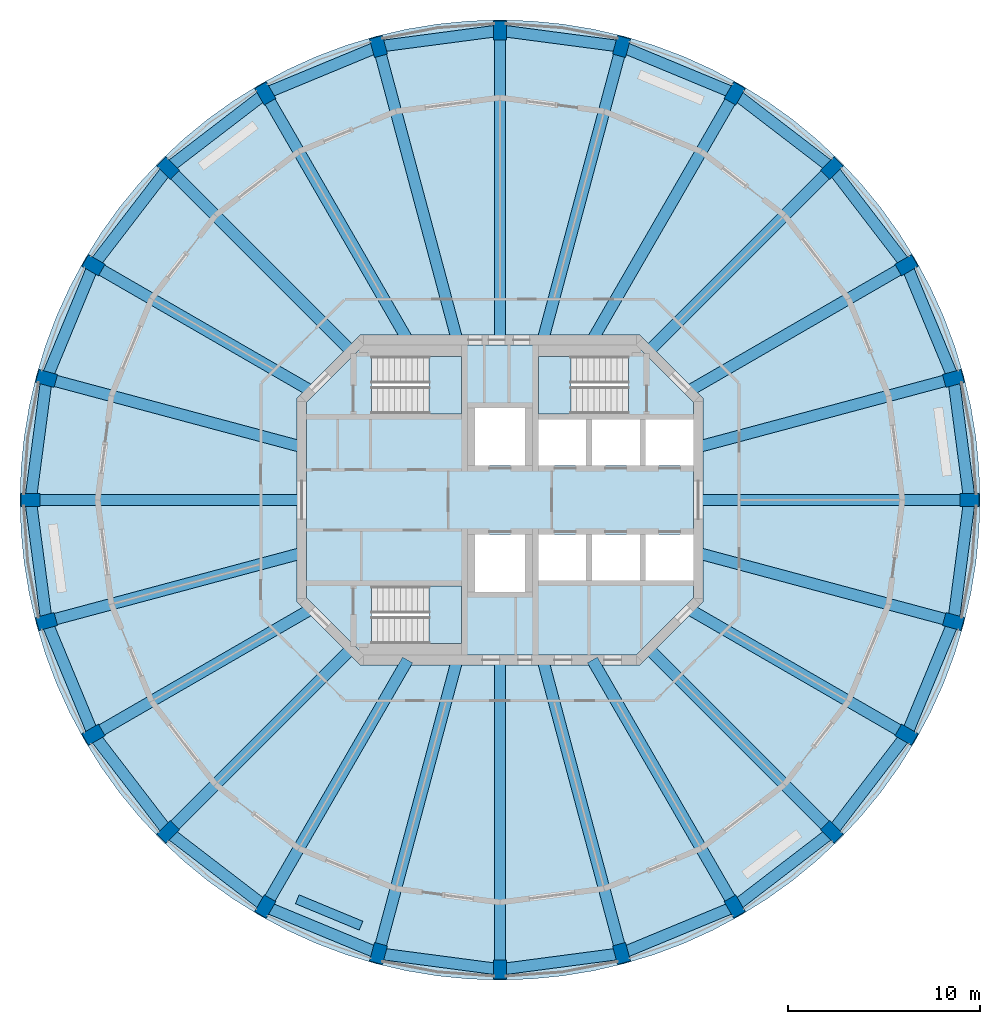
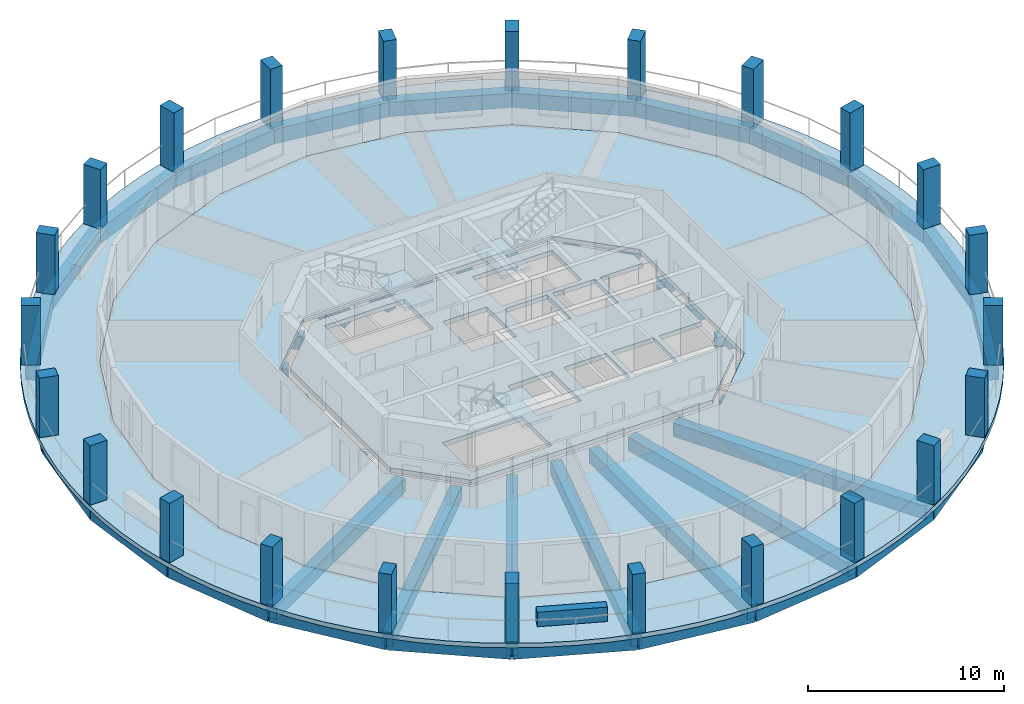
# One storey, part 1 of 8: 48 beams, 24 columns, 6 slabs, 1 wall, 3 elements without a shape of their own.
"""IFC4 building model written with IfcOpenShell, lengths in metres."""

import ifcopenshell
import ifcopenshell.guid

model = None  # the IFC model being written
_history = None  # IfcOwnerHistory: only IFC2X3 demands one
_inside = {}  # id of a spatial element -> (the spatial element, [elements in it])
_under = {}  # id of a project, library or spatial element -> (it, [spatial elements below it])
_declared = {}  # id of a project -> (the project, [libraries it declares])
_typed = {}  # id of a type object -> (the type object, [elements of that type])
_made_of = {}  # id of a material, layer set ... -> (it, [elements and type objects made of it])


def new_model(schema):
    """Start an empty IFC model of exactly this schema.

    Asked for "IFC4X3", IfcOpenShell would pick the latest addendum, in which some entities
    have other attributes; the version numbers below select the first issue.
    IFC2X3 requires an IfcOwnerHistory on every rooted entity: one is made here for all.
    """
    global model, _history
    if schema == "IFC4X3":
        model = ifcopenshell.file(schema_version=(4, 3, 0, 0))
    else:
        model = ifcopenshell.file(schema=schema)
    _inside.clear()
    _under.clear()
    _declared.clear()
    _typed.clear()
    _made_of.clear()
    _history = None
    if model.schema == "IFC2X3":
        org = make("IfcOrganization", Name="unknown")
        user = make(
            "IfcPersonAndOrganization",
            ThePerson=make("IfcPerson", FamilyName="unknown"),
            TheOrganization=org,
        )
        app = make(
            "IfcApplication",
            ApplicationDeveloper=org,
            Version="unknown",
            ApplicationFullName="unknown",
            ApplicationIdentifier="unknown",
        )
        _history = make(
            "IfcOwnerHistory",
            OwningUser=user,
            OwningApplication=app,
            ChangeAction="ADDED",
            CreationDate=0,
        )
    return model


def make(cls, **values):
    """One entity of the class cls with the attributes given. An attribute that is None is left unset."""
    return model.create_entity(
        cls, **{name: value for name, value in values.items() if value is not None}
    )


def rooted(cls, **values):
    """An entity with a GlobalId (a new one), such as an element, a storey or a relation."""
    return make(cls, GlobalId=ifcopenshell.guid.new(), OwnerHistory=_history, **values)


def si_unit(unit_type, name, prefix=None):
    """IfcSIUnit, for example si_unit("LENGTHUNIT", "METRE", prefix="MILLI")."""
    return make("IfcSIUnit", UnitType=unit_type, Prefix=prefix, Name=name)


def assignment(units):
    """IfcUnitAssignment: the units of a project."""
    return None if units is None else make("IfcUnitAssignment", Units=units)


def point(xyz):
    """IfcCartesianPoint."""
    return None if xyz is None else make("IfcCartesianPoint", Coordinates=xyz)


def direction(xyz):
    """IfcDirection."""
    return None if xyz is None else make("IfcDirection", DirectionRatios=xyz)


def frame(location, z_axis=None, x_axis=None):
    """IfcAxis2Placement3D, a coordinate frame: its origin and axes. An axis left out is left unset."""
    return make(
        "IfcAxis2Placement3D",
        Location=point(location),
        Axis=direction(z_axis),
        RefDirection=direction(x_axis),
    )


def frame_2d(location, x_axis=None):
    """IfcAxis2Placement2D, a coordinate frame in the plane: its origin and x axis."""
    return make(
        "IfcAxis2Placement2D", Location=point(location), RefDirection=direction(x_axis)
    )


def origin():
    """The frame at (0, 0, 0) with its axes left unset."""
    return frame((0.0, 0.0, 0.0))


def origin_2d():
    """The frame at (0, 0) in the plane with its x axis left unset."""
    return frame_2d((0.0, 0.0))


def place(relative_to, where):
    """IfcLocalPlacement: puts the frame where relative to a parent placement (None: the world)."""
    return make(
        "IfcLocalPlacement", PlacementRelTo=relative_to, RelativePlacement=where
    )


def context(
    kind, dimensions, precision=None, world=None, true_north=None, identifier=None
):
    """IfcGeometricRepresentationContext, for example the 3D "Model" context."""
    return make(
        "IfcGeometricRepresentationContext",
        ContextIdentifier=identifier,
        ContextType=kind,
        CoordinateSpaceDimension=dimensions,
        Precision=precision,
        WorldCoordinateSystem=world,
        TrueNorth=true_north,
    )


def subcontext(parent, identifier, kind, view, scale=None):
    """IfcGeometricRepresentationSubContext, for example "Body" below "Model"."""
    return make(
        "IfcGeometricRepresentationSubContext",
        ContextIdentifier=identifier,
        ContextType=kind,
        ParentContext=parent,
        TargetScale=scale,
        TargetView=view,
    )


def project(units=None, contexts=None):
    """IfcProject with its units and contexts."""
    return rooted(
        "IfcProject",
        Name="project",
        RepresentationContexts=contexts,
        UnitsInContext=assignment(units),
    )


def spatial(cls, under=None, at=None, **own):
    """A site, building, storey or space (cls), placed at a placement, below another one or the project."""
    s = rooted(cls, ObjectPlacement=at, **own)
    if under is not None:
        _under.setdefault(under.id(), (under, []))[1].append(s)
    return s


def polyline(points):
    """IfcPolyline through the points."""
    return make("IfcPolyline", Points=[point(p) for p in points])


def profile(cls, at=None, kind="AREA", **sizes):
    """A parametric profile (cls). Its sizes go by their IFC names, for example OverallWidth=200.0."""
    return make(cls, ProfileType=kind, Position=at, **sizes)


def rectangle(**sizes):
    """IfcRectangleProfileDef."""
    return profile("IfcRectangleProfileDef", **sizes)


def outline(outer, holes=None, kind="AREA"):
    """IfcArbitraryClosedProfileDef: a profile drawn as a closed curve; with holes, ...WithVoids."""
    if holes is None:
        return make("IfcArbitraryClosedProfileDef", ProfileType=kind, OuterCurve=outer)
    return make(
        "IfcArbitraryProfileDefWithVoids",
        ProfileType=kind,
        OuterCurve=outer,
        InnerCurves=holes,
    )


def extrude(swept, where, along, depth):
    """IfcExtrudedAreaSolid: the profile swept, set in the frame where, extruded along a direction by depth."""
    return make(
        "IfcExtrudedAreaSolid",
        SweptArea=swept,
        Position=where,
        ExtrudedDirection=direction(along),
        Depth=depth,
    )


def shape(context_of_items, identifier, shape_type, items):
    """IfcShapeRepresentation: the items that make up one representation, for example the "Body"."""
    return make(
        "IfcShapeRepresentation",
        ContextOfItems=context_of_items,
        RepresentationIdentifier=identifier,
        RepresentationType=shape_type,
        Items=items,
    )


def material(Name=None, Category=None):
    """IfcMaterial."""
    return make("IfcMaterial", Name=Name, Category=Category)


def layer(
    of_material, thickness, ventilated=None, Name=None, Category=None, Priority=None
):
    """IfcMaterialLayer: one layer of a wall or slab, of a material (None: an air gap)."""
    return make(
        "IfcMaterialLayer",
        Material=of_material,
        LayerThickness=thickness,
        IsVentilated=ventilated,
        Name=Name,
        Category=Category,
        Priority=Priority,
    )


def layer_set(layers, Name=None):
    """IfcMaterialLayerSet."""
    return make("IfcMaterialLayerSet", MaterialLayers=layers, LayerSetName=Name)


def material_profile(
    of_material, cross_section, Name=None, Category=None, Priority=None
):
    """IfcMaterialProfile: a cross section and its material."""
    return make(
        "IfcMaterialProfile",
        Name=Name,
        Material=of_material,
        Profile=cross_section,
        Priority=Priority,
        Category=Category,
    )


def profile_set(profiles, Name=None, composite=None):
    """IfcMaterialProfileSet."""
    return make(
        "IfcMaterialProfileSet",
        Name=Name,
        MaterialProfiles=profiles,
        CompositeProfile=composite,
    )


def made_of(thing, what):
    """Note that an element or type object is made of a material, layer set ...; save() writes the relation."""
    if what is not None:
        _made_of.setdefault(what.id(), (what, []))[1].append(thing)
    return thing


def type_object(cls, material=None, **own):
    """A type object (cls), such as IfcWallType, which elements share."""
    return made_of(rooted(cls, **own), material)


def element(
    cls,
    number,
    at=None,
    inside=None,
    cuts=None,
    type_object=None,
    material=None,
    context=None,
    identifier="Body",
    shape_type=None,
    held_by="IfcProductDefinitionShape",
    body=None,
    shapes=None,
    **own,
):
    """One element of the class cls, such as IfcWall. Its Tag is "e" and its number.

    at: its placement. inside: the storey or other place that contains it. cuts: it is an
    opening in that element (IfcRelVoidsElement). A single representation is given by context,
    identifier, shape_type and body (its items); several are given by shapes. held_by: the class
    of the entity that holds the representations. save() writes the other relations.
    """
    e = rooted(cls, Tag="e%d" % number, ObjectPlacement=at, **own)
    if body is not None:
        shapes = [shape(context, identifier, shape_type, body)]
    if shapes is not None:
        e.Representation = make(held_by, Representations=shapes)
    if inside is not None:
        _inside.setdefault(inside.id(), (inside, []))[1].append(e)
    if cuts is not None:
        rooted(
            "IfcRelVoidsElement", RelatingBuildingElement=cuts, RelatedOpeningElement=e
        )
    if type_object is not None:
        _typed.setdefault(type_object.id(), (type_object, []))[1].append(e)
    return made_of(e, material)


def aggregate(whole, parts):
    """IfcRelAggregates: a whole, such as a stair, and the parts it consists of."""
    return rooted("IfcRelAggregates", RelatingObject=whole, RelatedObjects=parts)


def save(model, path):
    """Write the relations noted so far, then the file.

    IfcRelAggregates (storeys below a building ...), IfcRelContainedInSpatialStructure (elements
    in a storey), IfcRelDefinesByType, IfcRelAssociatesMaterial and IfcRelDeclares: one each for
    every whole, place, type object, material and project.
    """
    for whole, parts in _under.values():
        aggregate(whole, parts)
    for where, things in _inside.values():
        rooted(
            "IfcRelContainedInSpatialStructure",
            RelatedElements=things,
            RelatingStructure=where,
        )
    for kind, things in _typed.values():
        rooted("IfcRelDefinesByType", RelatedObjects=things, RelatingType=kind)
    for what, things in _made_of.values():
        rooted("IfcRelAssociatesMaterial", RelatedObjects=things, RelatingMaterial=what)
    for by, libraries in _declared.values():
        rooted("IfcRelDeclares", RelatingContext=by, RelatedDefinitions=libraries)
    model.write(path)


model = new_model("IFC4")

# Units and contexts
model_context = context("Model", 3, precision=1e-05, world=origin(), true_north=direction((0.0, 1.0)))
body_context = subcontext(model_context, "Body", "Model", "MODEL_VIEW")
ifc_project = project(units=[si_unit("LENGTHUNIT", "METRE"), si_unit("AREAUNIT", "SQUARE_METRE"), si_unit("VOLUMEUNIT", "CUBIC_METRE"), si_unit("PLANEANGLEUNIT", "RADIAN"), si_unit("MASSUNIT", "GRAM", prefix="KILO")], contexts=[model_context])

# Site, building, storey
site_placement = place(None, origin())
site = spatial("IfcSite", under=ifc_project, at=site_placement, CompositionType="ELEMENT")
building_placement = place(site_placement, origin())
building = spatial("IfcBuilding", under=site, at=building_placement, Name="Torre Triforio", CompositionType="ELEMENT")
storey_placement = place(building_placement, frame((0.0, 0.0, 261.199951171875)))
storey = spatial("IfcBuildingStorey", under=building, at=storey_placement, Name="L60", CompositionType="ELEMENT", Elevation=261.199951171875)

# Columns
ifc_material_1 = material(Name="Concrete C40", Category="concrete")
ifc_material_profile_1 = material_profile(ifc_material_1, rectangle(XDim=0.699951171875, YDim=1.0, at=origin_2d()), Name="RC 700x1000")
ifc_profile_set_1 = profile_set([ifc_material_profile_1], Name="Concrete C40")
column_type = type_object("IfcColumnType", Name="Pier RC 700x1000 C40", PredefinedType="COLUMN", material=ifc_profile_set_1)
for number, where, z_axis, x_axis, name in (
    (1, (24.5, 0.0, 0.0), (0.0, 0.0, 1.0), (0.0, 1.0, 0.0), "COL.R.L60.00"),
    (2, (23.665283203125, 6.341064453125, 0.0), (0.0, 0.0, 1.0), (-0.258819045103, 0.965925826289, 0.0), "COL.R.L60.01"),
    (3, (21.217529296875, 12.25, 0.0), (0.0, 0.0, 1.0), (-0.5, 0.866025403784, 0.0), "COL.R.L60.02"),
    (4, (17.32421875, 17.32421875, 0.0), (0.0, 0.0, 1.0), (-0.707106781187, 0.707106781187, 0.0), "COL.R.L60.03"),
    (5, (12.25, 21.217529296875, 0.0), (0.0, 0.0, 1.0), (-0.866025403784, 0.5, 0.0), "COL.R.L60.04"),
    (6, (6.341064453125, 23.665283203125, 0.0), (0.0, 0.0, 1.0), (-0.965925826289, 0.258819045103, 0.0), "COL.R.L60.05"),
    (7, (0.0, 24.5, 0.0), (0.0, 0.0, 1.0), (-1.0, 0.0, 0.0), "COL.R.L60.06"),
    (8, (-6.341064453125, 23.665283203125, 0.0), (0.0, 0.0, 1.0), (-0.965925826289, -0.258819045103, 0.0), "COL.R.L60.07"),
    (9, (-12.25, 21.217529296875, 0.0), (0.0, 0.0, 1.0), (-0.866025403784, -0.5, 0.0), "COL.R.L60.08"),
    (10, (-17.32421875, 17.32421875, 0.0), (0.0, 0.0, 1.0), (-0.707106781187, -0.707106781187, 0.0), "COL.R.L60.09"),
    (11, (-21.217529296875, 12.25, 0.0), (0.0, 0.0, 1.0), (-0.5, -0.866025403784, 0.0), "COL.R.L60.10"),
    (12, (-23.665283203125, 6.341064453125, 0.0), (0.0, 0.0, 1.0), (-0.258819045103, -0.965925826289, 0.0), "COL.R.L60.11"),
    (13, (-24.5, 0.0, 0.0), (0.0, 0.0, 1.0), (0.0, -1.0, 0.0), "COL.R.L60.12"),
    (14, (-23.665283203125, -6.341064453125, 0.0), (0.0, 0.0, 1.0), (0.258819045103, -0.965925826289, 0.0), "COL.R.L60.13"),
    (15, (-21.217529296875, -12.25, 0.0), (0.0, 0.0, 1.0), (0.5, -0.866025403784, 0.0), "COL.R.L60.14"),
    (16, (-17.32421875, -17.32421875, 0.0), (0.0, 0.0, 1.0), (0.707106781187, -0.707106781187, 0.0), "COL.R.L60.15"),
    (17, (-12.25, -21.217529296875, 0.0), (0.0, 0.0, 1.0), (0.866025403784, -0.5, 0.0), "COL.R.L60.16"),
    (18, (-6.341064453125, -23.665283203125, 0.0), (0.0, 0.0, 1.0), (0.965925826289, -0.258819045103, 0.0), "COL.R.L60.17"),
    (19, (0.0, -24.5, 0.0), (0.0, 0.0, 1.0), (1.0, 0.0, 0.0), "COL.R.L60.18"),
    (20, (6.341064453125, -23.665283203125, 0.0), (0.0, 0.0, 1.0), (0.965925826289, 0.258819045103, 0.0), "COL.R.L60.19"),
    (21, (12.25, -21.217529296875, 0.0), (0.0, 0.0, 1.0), (0.866025403784, 0.5, 0.0), "COL.R.L60.20"),
    (22, (17.32421875, -17.32421875, 0.0), (0.0, 0.0, 1.0), (0.707106781187, 0.707106781187, 0.0), "COL.R.L60.21"),
    (23, (21.217529296875, -12.25, 0.0), (0.0, 0.0, 1.0), (0.5, 0.866025403784, 0.0), "COL.R.L60.22"),
    (24, (23.665283203125, -6.341064453125, 0.0), (0.0, 0.0, 1.0), (0.258819045103, 0.965925826289, 0.0), "COL.R.L60.23"),
):
    element("IfcColumn", number, at=place(storey_placement, frame(where, z_axis=z_axis, x_axis=x_axis)), inside=storey, type_object=column_type, Name=name, PredefinedType="COLUMN", context=body_context, shape_type="SweptSolid", body=[
        extrude(rectangle(XDim=0.699951171875, YDim=1.0, at=origin_2d()), origin(), (0.0, 0.0, 1.0), 3.699951171875),
    ])

# Beams
ifc_material_profile_2 = material_profile(ifc_material_1, rectangle(XDim=0.60009765625, YDim=0.85009765625, at=origin_2d()), Name="RC 600x850")
ifc_profile_set_2 = profile_set([ifc_material_profile_2], Name="Concrete C40")
beam_type_1 = type_object("IfcBeamType", Name="Radial beam RC 600x850 C40", PredefinedType="BEAM", material=ifc_profile_set_2)
beam_1_placement = place(storey_placement, frame((10.35009765625, 0.0, -0.704833984375), z_axis=(1.0, 0.0, 0.0), x_axis=(0.0, 1.0, 0.0)))
element("IfcBeam", 25, at=beam_1_placement, inside=storey, type_object=beam_type_1, Name="BM.R.L60.00", PredefinedType="BEAM", context=body_context, shape_type="SweptSolid", body=[
    extrude(rectangle(XDim=0.60009765625, YDim=0.85009765625, at=origin_2d()), origin(), (0.0, 0.0, 1.0), 14.14990234375),
])
beam_2_placement = place(storey_placement, frame((10.35009765625, 2.773193359375, -0.704833984375), z_axis=(0.965924413872, 0.258824316257, 0.0), x_axis=(-0.258824316257, 0.965924413872, 0.0)))
element("IfcBeam", 26, at=beam_2_placement, inside=storey, type_object=beam_type_1, Name="BM.R.L60.01", PredefinedType="BEAM", context=body_context, shape_type="SweptSolid", body=[
    extrude(rectangle(XDim=0.60009765625, YDim=0.85009765625, at=origin_2d()), origin(), (0.0, 0.0, 1.0), 13.784912109375),
])
beam_3_placement = place(storey_placement, frame((9.860595703125, 5.693115234375, -0.704833984375), z_axis=(0.866026853401, 0.499997489182, 0.0), x_axis=(-0.499997489182, 0.866026853401, 0.0)))
element("IfcBeam", 27, at=beam_3_placement, inside=storey, type_object=beam_type_1, Name="BM.R.L60.02", PredefinedType="BEAM", context=body_context, shape_type="SweptSolid", body=[
    extrude(rectangle(XDim=0.60009765625, YDim=0.85009765625, at=origin_2d()), origin(), (0.0, 0.0, 1.0), 13.11376953125),
])
beam_4_placement = place(storey_placement, frame((7.77685546875, 7.77685546875, -0.704833984375), z_axis=(0.707106781187, 0.707106781187, 0.0), x_axis=(-0.707106781187, 0.707106781187, 0.0)))
element("IfcBeam", 28, at=beam_4_placement, inside=storey, type_object=beam_type_1, Name="BM.R.L60.03", PredefinedType="BEAM", context=body_context, shape_type="SweptSolid", body=[
    extrude(rectangle(XDim=0.60009765625, YDim=0.85009765625, at=origin_2d()), origin(), (0.0, 0.0, 1.0), 13.501953125),
])
beam_5_placement = place(storey_placement, frame((4.82080078125, 8.35009765625, -0.704833984375), z_axis=(0.50000929273, 0.866020038558, 0.0), x_axis=(-0.866020038558, 0.50000929273, 0.0)))
element("IfcBeam", 29, at=beam_5_placement, inside=storey, type_object=beam_type_1, Name="BM.R.L60.04", PredefinedType="BEAM", context=body_context, shape_type="SweptSolid", body=[
    extrude(rectangle(XDim=0.60009765625, YDim=0.85009765625, at=origin_2d()), origin(), (0.0, 0.0, 1.0), 14.858154296875),
])
beam_6_placement = place(storey_placement, frame((2.2373046875, 8.35009765625, -0.704833984375), z_axis=(0.258823056343, 0.965924751471, 0.0), x_axis=(-0.965924751471, 0.258823056343, 0.0)))
element("IfcBeam", 30, at=beam_6_placement, inside=storey, type_object=beam_type_1, Name="BM.R.L60.05", PredefinedType="BEAM", context=body_context, shape_type="SweptSolid", body=[
    extrude(rectangle(XDim=0.60009765625, YDim=0.85009765625, at=origin_2d()), origin(), (0.0, 0.0, 1.0), 15.85546875),
])
beam_7_placement = place(storey_placement, frame((0.0, 8.35009765625, -0.704833984375), z_axis=(0.0, 1.0, 0.0), x_axis=(-1.0, 0.0, 0.0)))
element("IfcBeam", 31, at=beam_7_placement, inside=storey, type_object=beam_type_1, Name="BM.R.L60.06", PredefinedType="BEAM", context=body_context, shape_type="SweptSolid", body=[
    extrude(rectangle(XDim=0.60009765625, YDim=0.85009765625, at=origin_2d()), origin(), (0.0, 0.0, 1.0), 16.14990234375),
])
beam_8_placement = place(storey_placement, frame((-2.2373046875, 8.35009765625, -0.704833984375), z_axis=(-0.258823056343, 0.965924751471, 0.0), x_axis=(-0.965924751471, -0.258823056343, 0.0)))
element("IfcBeam", 32, at=beam_8_placement, inside=storey, type_object=beam_type_1, Name="BM.R.L60.07", PredefinedType="BEAM", context=body_context, shape_type="SweptSolid", body=[
    extrude(rectangle(XDim=0.60009765625, YDim=0.85009765625, at=origin_2d()), origin(), (0.0, 0.0, 1.0), 15.85546875),
])
beam_9_placement = place(storey_placement, frame((-4.82080078125, 8.35009765625, -0.704833984375), z_axis=(-0.50000929273, 0.866020038558, 0.0), x_axis=(-0.866020038558, -0.50000929273, 0.0)))
element("IfcBeam", 33, at=beam_9_placement, inside=storey, type_object=beam_type_1, Name="BM.R.L60.08", PredefinedType="BEAM", context=body_context, shape_type="SweptSolid", body=[
    extrude(rectangle(XDim=0.60009765625, YDim=0.85009765625, at=origin_2d()), origin(), (0.0, 0.0, 1.0), 14.858154296875),
])
beam_10_placement = place(storey_placement, frame((-7.77685546875, 7.77685546875, -0.704833984375), z_axis=(-0.707106781187, 0.707106781187, 0.0), x_axis=(-0.707106781187, -0.707106781187, 0.0)))
element("IfcBeam", 34, at=beam_10_placement, inside=storey, type_object=beam_type_1, Name="BM.R.L60.09", PredefinedType="BEAM", context=body_context, shape_type="SweptSolid", body=[
    extrude(rectangle(XDim=0.60009765625, YDim=0.85009765625, at=origin_2d()), origin(), (0.0, 0.0, 1.0), 13.501953125),
])
beam_11_placement = place(storey_placement, frame((-9.860595703125, 5.693115234375, -0.704833984375), z_axis=(-0.866026853401, 0.499997489182, 0.0), x_axis=(-0.499997489182, -0.866026853401, 0.0)))
element("IfcBeam", 35, at=beam_11_placement, inside=storey, type_object=beam_type_1, Name="BM.R.L60.10", PredefinedType="BEAM", context=body_context, shape_type="SweptSolid", body=[
    extrude(rectangle(XDim=0.60009765625, YDim=0.85009765625, at=origin_2d()), origin(), (0.0, 0.0, 1.0), 13.11376953125),
])
beam_12_placement = place(storey_placement, frame((-10.35009765625, 2.773193359375, -0.704833984375), z_axis=(-0.965924413872, 0.258824316257, 0.0), x_axis=(-0.258824316257, -0.965924413872, 0.0)))
element("IfcBeam", 36, at=beam_12_placement, inside=storey, type_object=beam_type_1, Name="BM.R.L60.11", PredefinedType="BEAM", context=body_context, shape_type="SweptSolid", body=[
    extrude(rectangle(XDim=0.60009765625, YDim=0.85009765625, at=origin_2d()), origin(), (0.0, 0.0, 1.0), 13.784912109375),
])
beam_13_placement = place(storey_placement, frame((-10.35009765625, 0.0, -0.704833984375), z_axis=(-1.0, 0.0, 0.0), x_axis=(0.0, -1.0, 0.0)))
element("IfcBeam", 37, at=beam_13_placement, inside=storey, type_object=beam_type_1, Name="BM.R.L60.12", PredefinedType="BEAM", context=body_context, shape_type="SweptSolid", body=[
    extrude(rectangle(XDim=0.60009765625, YDim=0.85009765625, at=origin_2d()), origin(), (0.0, 0.0, 1.0), 14.14990234375),
])
beam_14_placement = place(storey_placement, frame((-10.35009765625, -2.773193359375, -0.704833984375), z_axis=(-0.965924413872, -0.258824316257, 0.0), x_axis=(0.258824316257, -0.965924413872, 0.0)))
element("IfcBeam", 38, at=beam_14_placement, inside=storey, type_object=beam_type_1, Name="BM.R.L60.13", PredefinedType="BEAM", context=body_context, shape_type="SweptSolid", body=[
    extrude(rectangle(XDim=0.60009765625, YDim=0.85009765625, at=origin_2d()), origin(), (0.0, 0.0, 1.0), 13.784912109375),
])
beam_15_placement = place(storey_placement, frame((-9.860595703125, -5.693115234375, -0.704833984375), z_axis=(-0.866026853401, -0.499997489182, 0.0), x_axis=(0.499997489182, -0.866026853401, 0.0)))
element("IfcBeam", 39, at=beam_15_placement, inside=storey, type_object=beam_type_1, Name="BM.R.L60.14", PredefinedType="BEAM", context=body_context, shape_type="SweptSolid", body=[
    extrude(rectangle(XDim=0.60009765625, YDim=0.85009765625, at=origin_2d()), origin(), (0.0, 0.0, 1.0), 13.11376953125),
])
beam_16_placement = place(storey_placement, frame((-7.77685546875, -7.77685546875, -0.704833984375), z_axis=(-0.707106781187, -0.707106781187, 0.0), x_axis=(0.707106781187, -0.707106781187, 0.0)))
element("IfcBeam", 40, at=beam_16_placement, inside=storey, type_object=beam_type_1, Name="BM.R.L60.15", PredefinedType="BEAM", context=body_context, shape_type="SweptSolid", body=[
    extrude(rectangle(XDim=0.60009765625, YDim=0.85009765625, at=origin_2d()), origin(), (0.0, 0.0, 1.0), 13.501953125),
])
beam_17_placement = place(storey_placement, frame((-4.82080078125, -8.35009765625, -0.704833984375), z_axis=(-0.50000929273, -0.866020038558, 0.0), x_axis=(0.866020038558, -0.50000929273, 0.0)))
element("IfcBeam", 41, at=beam_17_placement, inside=storey, type_object=beam_type_1, Name="BM.R.L60.16", PredefinedType="BEAM", context=body_context, shape_type="SweptSolid", body=[
    extrude(rectangle(XDim=0.60009765625, YDim=0.85009765625, at=origin_2d()), origin(), (0.0, 0.0, 1.0), 14.858154296875),
])
beam_18_placement = place(storey_placement, frame((-2.2373046875, -8.35009765625, -0.704833984375), z_axis=(-0.258823056343, -0.965924751471, 0.0), x_axis=(0.965924751471, -0.258823056343, 0.0)))
element("IfcBeam", 42, at=beam_18_placement, inside=storey, type_object=beam_type_1, Name="BM.R.L60.17", PredefinedType="BEAM", context=body_context, shape_type="SweptSolid", body=[
    extrude(rectangle(XDim=0.60009765625, YDim=0.85009765625, at=origin_2d()), origin(), (0.0, 0.0, 1.0), 15.85546875),
])
beam_19_placement = place(storey_placement, frame((0.0, -8.35009765625, -0.704833984375), z_axis=(0.0, -1.0, 0.0), x_axis=(1.0, 0.0, 0.0)))
element("IfcBeam", 43, at=beam_19_placement, inside=storey, type_object=beam_type_1, Name="BM.R.L60.18", PredefinedType="BEAM", context=body_context, shape_type="SweptSolid", body=[
    extrude(rectangle(XDim=0.60009765625, YDim=0.85009765625, at=origin_2d()), origin(), (0.0, 0.0, 1.0), 16.14990234375),
])
beam_20_placement = place(storey_placement, frame((2.2373046875, -8.35009765625, -0.704833984375), z_axis=(0.258823056343, -0.965924751471, 0.0), x_axis=(0.965924751471, 0.258823056343, 0.0)))
element("IfcBeam", 44, at=beam_20_placement, inside=storey, type_object=beam_type_1, Name="BM.R.L60.19", PredefinedType="BEAM", context=body_context, shape_type="SweptSolid", body=[
    extrude(rectangle(XDim=0.60009765625, YDim=0.85009765625, at=origin_2d()), origin(), (0.0, 0.0, 1.0), 15.85546875),
])
beam_21_placement = place(storey_placement, frame((4.82080078125, -8.35009765625, -0.704833984375), z_axis=(0.50000929273, -0.866020038558, 0.0), x_axis=(0.866020038558, 0.50000929273, 0.0)))
element("IfcBeam", 45, at=beam_21_placement, inside=storey, type_object=beam_type_1, Name="BM.R.L60.20", PredefinedType="BEAM", context=body_context, shape_type="SweptSolid", body=[
    extrude(rectangle(XDim=0.60009765625, YDim=0.85009765625, at=origin_2d()), origin(), (0.0, 0.0, 1.0), 14.858154296875),
])
beam_22_placement = place(storey_placement, frame((7.77685546875, -7.77685546875, -0.704833984375), z_axis=(0.707106781187, -0.707106781187, 0.0), x_axis=(0.707106781187, 0.707106781187, 0.0)))
element("IfcBeam", 46, at=beam_22_placement, inside=storey, type_object=beam_type_1, Name="BM.R.L60.21", PredefinedType="BEAM", context=body_context, shape_type="SweptSolid", body=[
    extrude(rectangle(XDim=0.60009765625, YDim=0.85009765625, at=origin_2d()), origin(), (0.0, 0.0, 1.0), 13.501953125),
])
beam_23_placement = place(storey_placement, frame((9.860595703125, -5.693115234375, -0.704833984375), z_axis=(0.866026853401, -0.499997489182, 0.0), x_axis=(0.499997489182, 0.866026853401, 0.0)))
element("IfcBeam", 47, at=beam_23_placement, inside=storey, type_object=beam_type_1, Name="BM.R.L60.22", PredefinedType="BEAM", context=body_context, shape_type="SweptSolid", body=[
    extrude(rectangle(XDim=0.60009765625, YDim=0.85009765625, at=origin_2d()), origin(), (0.0, 0.0, 1.0), 13.11376953125),
])
beam_24_placement = place(storey_placement, frame((10.35009765625, -2.773193359375, -0.704833984375), z_axis=(0.965924413872, -0.258824316257, 0.0), x_axis=(0.258824316257, 0.965924413872, 0.0)))
element("IfcBeam", 48, at=beam_24_placement, inside=storey, type_object=beam_type_1, Name="BM.R.L60.23", PredefinedType="BEAM", context=body_context, shape_type="SweptSolid", body=[
    extrude(rectangle(XDim=0.60009765625, YDim=0.85009765625, at=origin_2d()), origin(), (0.0, 0.0, 1.0), 13.784912109375),
])
ifc_material_profile_3 = material_profile(ifc_material_1, rectangle(XDim=0.60009765625, YDim=0.89990234375, at=origin_2d()), Name="RC 600x900")
ifc_profile_set_3 = profile_set([ifc_material_profile_3], Name="Concrete C40")
beam_type_2 = type_object("IfcBeamType", Name="Spandrel beam RC 600x900 C40", PredefinedType="SPANDREL", material=ifc_profile_set_3)
for number, where, z_axis, x_axis, name in (
    (49, (24.5, 0.0, -0.72998046875), (-0.130510796237, 0.991446888172, 0.0), (-0.991446888172, -0.130510796237, 0.0), "BM.S.L60.00"),
    (50, (23.665283203125, 6.341064453125, -0.72998046875), (-0.382709143949, 0.923868882006, 0.0), (-0.923868882006, -0.382709143949, 0.0), "BM.S.L60.01"),
    (51, (21.217529296875, 12.25, -0.72998046875), (-0.60873442055, 0.79337406388, 0.0), (-0.79337406388, -0.60873442055, 0.0), "BM.S.L60.02"),
    (52, (17.32421875, 17.32421875, -0.72998046875), (-0.79337406388, 0.60873442055, 0.0), (-0.60873442055, -0.79337406388, 0.0), "BM.S.L60.03"),
    (53, (12.25, 21.217529296875, -0.72998046875), (-0.923868882006, 0.382709143949, 0.0), (-0.382709143949, -0.923868882006, 0.0), "BM.S.L60.04"),
    (54, (6.341064453125, 23.665283203125, -0.72998046875), (-0.991446888172, 0.130510796237, 0.0), (-0.130510796237, -0.991446888172, 0.0), "BM.S.L60.05"),
    (55, (0.0, 24.5, -0.72998046875), (-0.991446888172, -0.130510796237, 0.0), (0.130510796237, -0.991446888172, 0.0), "BM.S.L60.06"),
    (56, (-6.341064453125, 23.665283203125, -0.72998046875), (-0.923868882006, -0.382709143949, 0.0), (0.382709143949, -0.923868882006, 0.0), "BM.S.L60.07"),
    (57, (-12.25, 21.217529296875, -0.72998046875), (-0.79337406388, -0.60873442055, 0.0), (0.60873442055, -0.79337406388, 0.0), "BM.S.L60.08"),
    (58, (-17.32421875, 17.32421875, -0.72998046875), (-0.60873442055, -0.79337406388, 0.0), (0.79337406388, -0.60873442055, 0.0), "BM.S.L60.09"),
    (59, (-21.217529296875, 12.25, -0.72998046875), (-0.382709143949, -0.923868882006, 0.0), (0.923868882006, -0.382709143949, 0.0), "BM.S.L60.10"),
    (60, (-23.665283203125, 6.341064453125, -0.72998046875), (-0.130510796237, -0.991446888172, 0.0), (0.991446888172, -0.130510796237, 0.0), "BM.S.L60.11"),
    (61, (-24.5, 0.0, -0.72998046875), (0.130510796237, -0.991446888172, 0.0), (0.991446888172, 0.130510796237, 0.0), "BM.S.L60.12"),
    (62, (-23.665283203125, -6.341064453125, -0.72998046875), (0.382709143949, -0.923868882006, 0.0), (0.923868882006, 0.382709143949, 0.0), "BM.S.L60.13"),
    (63, (-21.217529296875, -12.25, -0.72998046875), (0.60873442055, -0.79337406388, 0.0), (0.79337406388, 0.60873442055, 0.0), "BM.S.L60.14"),
    (64, (-17.32421875, -17.32421875, -0.72998046875), (0.79337406388, -0.60873442055, 0.0), (0.60873442055, 0.79337406388, 0.0), "BM.S.L60.15"),
    (65, (-12.25, -21.217529296875, -0.72998046875), (0.923868882006, -0.382709143949, 0.0), (0.382709143949, 0.923868882006, 0.0), "BM.S.L60.16"),
    (66, (-6.341064453125, -23.665283203125, -0.72998046875), (0.991446888172, -0.130510796237, 0.0), (0.130510796237, 0.991446888172, 0.0), "BM.S.L60.17"),
    (67, (0.0, -24.5, -0.72998046875), (0.991446888172, 0.130510796237, 0.0), (-0.130510796237, 0.991446888172, 0.0), "BM.S.L60.18"),
    (68, (6.341064453125, -23.665283203125, -0.72998046875), (0.923868882006, 0.382709143949, 0.0), (-0.382709143949, 0.923868882006, 0.0), "BM.S.L60.19"),
    (69, (12.25, -21.217529296875, -0.72998046875), (0.79337406388, 0.60873442055, 0.0), (-0.60873442055, 0.79337406388, 0.0), "BM.S.L60.20"),
    (70, (17.32421875, -17.32421875, -0.72998046875), (0.60873442055, 0.79337406388, 0.0), (-0.79337406388, 0.60873442055, 0.0), "BM.S.L60.21"),
    (71, (21.217529296875, -12.25, -0.72998046875), (0.382709143949, 0.923868882006, 0.0), (-0.923868882006, 0.382709143949, 0.0), "BM.S.L60.22"),
    (72, (23.665283203125, -6.341064453125, -0.72998046875), (0.130510796237, 0.991446888172, 0.0), (-0.991446888172, 0.130510796237, 0.0), "BM.S.L60.23"),
):
    element("IfcBeam", number, at=place(storey_placement, frame(where, z_axis=z_axis, x_axis=x_axis)), inside=storey, type_object=beam_type_2, Name=name, PredefinedType="SPANDREL", context=body_context, shape_type="SweptSolid", body=[
        extrude(rectangle(XDim=0.60009765625, YDim=0.89990234375, at=origin_2d()), origin(), (0.0, 0.0, 1.0), 6.395751953125),
    ])

# Slabs
ifc_layer_1 = layer(ifc_material_1, 0.280029296875)
ifc_layer_set_1 = layer_set([ifc_layer_1], Name="Concrete C40")
slab_type_1 = type_object("IfcSlabType", Name="Core floor slab 280 mm C40 REI 120", PredefinedType="FLOOR", material=ifc_layer_set_1)
slab_1_placement = place(storey_placement, frame((0.0, 0.0, -0.280029296875)))
element("IfcSlab", 73, at=slab_1_placement, inside=storey, type_object=slab_type_1, Name="Core floor slab", PredefinedType="FLOOR", context=body_context, shape_type="SweptSolid", body=[
    extrude(outline(polyline([(10.10009765625, -5.10009765625), (7.10009765625, -8.10009765625), (-7.10009765625, -8.10009765625), (-10.10009765625, -5.10009765625), (-10.10009765625, 5.10009765625), (-7.10009765625, 8.10009765625), (7.10009765625, 8.10009765625), (10.10009765625, 5.10009765625), (10.10009765625, 4.199951171875), (7.60009765625, 4.199951171875), (7.60009765625, 1.800048828125), (10.10009765625, 1.800048828125), (10.10009765625, -1.800048828125), (7.60009765625, -1.800048828125), (7.60009765625, -4.199951171875), (10.10009765625, -4.199951171875), (10.10009765625, -5.10009765625)]), holes=[polyline([(-6.696044921875, -4.5), (-6.696044921875, -7.5), (-2.0, -7.5), (-2.0, -4.5), (-6.696044921875, -4.5)]), polyline([(-1.300048828125, -1.800048828125), (-1.300048828125, -4.800048828125), (1.300048828125, -4.800048828125), (1.300048828125, -1.800048828125), (-1.300048828125, -1.800048828125)]), polyline([(2.0, -1.800048828125), (2.0, -4.199951171875), (4.5, -4.199951171875), (4.5, -1.800048828125), (2.0, -1.800048828125)]), polyline([(4.5, 4.199951171875), (2.0, 4.199951171875), (2.0, 1.800048828125), (4.5, 1.800048828125), (4.5, 4.199951171875)]), polyline([(1.300048828125, 4.800048828125), (-1.300048828125, 4.800048828125), (-1.300048828125, 1.800048828125), (1.300048828125, 1.800048828125), (1.300048828125, 4.800048828125)]), polyline([(-6.696044921875, 7.5), (-6.696044921875, 4.5), (-2.0, 4.5), (-2.0, 7.5), (-6.696044921875, 7.5)]), polyline([(7.300048828125, -1.800048828125), (4.800048828125, -1.800048828125), (4.800048828125, -4.199951171875), (7.300048828125, -4.199951171875), (7.300048828125, -1.800048828125)]), polyline([(4.800048828125, 4.199951171875), (4.800048828125, 1.800048828125), (7.300048828125, 1.800048828125), (7.300048828125, 4.199951171875), (4.800048828125, 4.199951171875)]), polyline([(6.696044921875, 7.5), (2.0, 7.5), (2.0, 4.5), (6.696044921875, 4.5), (6.696044921875, 7.5)])]), origin(), (0.0, 0.0, 1.0), 0.280029296875),
])
ifc_layer_2 = layer(ifc_material_1, 0.280029296875)
ifc_layer_set_2 = layer_set([ifc_layer_2], Name="Concrete C40")
slab_type_2 = type_object("IfcSlabType", Name="Floor slab 280 C40", PredefinedType="FLOOR", material=ifc_layer_set_2)
slab_2_placement = place(storey_placement, frame((0.0, 0.0, -0.280029296875)))
element("IfcSlab", 74, at=slab_2_placement, inside=storey, type_object=slab_type_2, Name="SL.L60", PredefinedType="FLOOR", context=body_context, shape_type="SweptSolid", body=[
    extrude(outline(polyline([(18.1865234375, -10.5), (20.284423828125, -5.435302734375), (21.0, 0.0), (20.284423828125, 5.435302734375), (18.1865234375, 10.5), (14.84912109375, 14.84912109375), (10.5, 18.1865234375), (5.435302734375, 20.284423828125), (0.0, 21.0), (-5.435302734375, 20.284423828125), (-10.5, 18.1865234375), (-14.84912109375, 14.84912109375), (-18.1865234375, 10.5), (-20.284423828125, 5.435302734375), (-21.0, 0.0), (-20.284423828125, -5.435302734375), (-18.1865234375, -10.5), (-14.84912109375, -14.84912109375), (-10.5, -18.1865234375), (-5.435302734375, -20.284423828125), (0.0, -21.0), (5.435302734375, -20.284423828125), (10.5, -18.1865234375), (14.84912109375, -14.84912109375), (18.1865234375, -10.5)]), holes=[polyline([(10.60009765625, 5.30712890625), (10.60009765625, -5.30712890625), (7.30712890625, -8.60009765625), (-7.30712890625, -8.60009765625), (-10.60009765625, -5.30712890625), (-10.60009765625, 5.30712890625), (-7.30712890625, 8.60009765625), (7.30712890625, 8.60009765625), (10.60009765625, 5.30712890625)])]), origin(), (0.0, 0.0, 1.0), 0.280029296875),
])
ifc_layer_3 = layer(ifc_material_1, 0.280029296875)
ifc_layer_set_3 = layer_set([ifc_layer_3], Name="Concrete C40")
slab_type_3 = type_object("IfcSlabType", Name="Loggia slab 280 C40", PredefinedType="FLOOR", material=ifc_layer_set_3)
slab_3_placement = place(storey_placement, frame((0.0, 0.0, -0.280029296875)))
element("IfcSlab", 75, at=slab_3_placement, inside=storey, type_object=slab_type_3, Name="SL.L60.LG", PredefinedType="FLOOR", context=body_context, shape_type="SweptSolid", body=[
    extrude(outline(polyline([(24.996337890625, -1.638427734375), (25.050048828125, 0.0), (24.996337890625, 1.638427734375), (24.835693359375, 3.269775390625), (24.568603515625, 4.886962890625), (24.196533203125, 6.4833984375), (23.720703125, 8.052001953125), (23.14306640625, 9.586181640625), (22.466552734375, 11.079345703125), (21.69384765625, 12.52490234375), (20.828369140625, 13.9169921875), (19.87353515625, 15.24951171875), (18.83349609375, 16.5166015625), (17.713134765625, 17.713134765625), (16.5166015625, 18.83349609375), (15.24951171875, 19.87353515625), (13.9169921875, 20.828369140625), (12.52490234375, 21.69384765625), (11.079345703125, 22.466552734375), (9.586181640625, 23.14306640625), (8.052001953125, 23.720703125), (6.4833984375, 24.196533203125), (4.886962890625, 24.568603515625), (3.269775390625, 24.835693359375), (1.638427734375, 24.996337890625), (0.0, 25.050048828125), (-1.638427734375, 24.996337890625), (-3.269775390625, 24.835693359375), (-4.886962890625, 24.568603515625), (-6.4833984375, 24.196533203125), (-8.052001953125, 23.720703125), (-9.586181640625, 23.14306640625), (-11.079345703125, 22.466552734375), (-12.52490234375, 21.69384765625), (-13.9169921875, 20.828369140625), (-15.24951171875, 19.87353515625), (-16.5166015625, 18.83349609375), (-17.713134765625, 17.713134765625), (-18.83349609375, 16.5166015625), (-19.87353515625, 15.24951171875), (-20.828369140625, 13.9169921875), (-21.69384765625, 12.52490234375), (-22.466552734375, 11.079345703125), (-23.14306640625, 9.586181640625), (-23.720703125, 8.052001953125), (-24.196533203125, 6.4833984375), (-24.568603515625, 4.886962890625), (-24.835693359375, 3.269775390625), (-24.996337890625, 1.638427734375), (-25.050048828125, 0.0), (-24.996337890625, -1.638427734375), (-24.835693359375, -3.269775390625), (-24.568603515625, -4.886962890625), (-24.196533203125, -6.4833984375), (-23.720703125, -8.052001953125), (-23.14306640625, -9.586181640625), (-22.466552734375, -11.079345703125), (-21.69384765625, -12.52490234375), (-20.828369140625, -13.9169921875), (-19.87353515625, -15.24951171875), (-18.83349609375, -16.5166015625), (-17.713134765625, -17.713134765625), (-16.5166015625, -18.83349609375), (-15.24951171875, -19.87353515625), (-13.9169921875, -20.828369140625), (-12.52490234375, -21.69384765625), (-11.079345703125, -22.466552734375), (-9.586181640625, -23.14306640625), (-8.052001953125, -23.720703125), (-6.4833984375, -24.196533203125), (-4.886962890625, -24.568603515625), (-3.269775390625, -24.835693359375), (-1.638427734375, -24.996337890625), (0.0, -25.050048828125), (1.638427734375, -24.996337890625), (3.269775390625, -24.835693359375), (4.886962890625, -24.568603515625), (6.4833984375, -24.196533203125), (8.052001953125, -23.720703125), (9.586181640625, -23.14306640625), (11.079345703125, -22.466552734375), (12.52490234375, -21.69384765625), (13.9169921875, -20.828369140625), (15.24951171875, -19.87353515625), (16.5166015625, -18.83349609375), (17.713134765625, -17.713134765625), (18.83349609375, -16.5166015625), (19.87353515625, -15.24951171875), (20.828369140625, -13.9169921875), (21.69384765625, -12.52490234375), (22.466552734375, -11.079345703125), (23.14306640625, -9.586181640625), (23.720703125, -8.052001953125), (24.196533203125, -6.4833984375), (24.568603515625, -4.886962890625), (24.835693359375, -3.269775390625), (24.996337890625, -1.638427734375)]), holes=[polyline([(20.284423828125, 5.435302734375), (21.0, 0.0), (20.284423828125, -5.435302734375), (18.1865234375, -10.5), (14.84912109375, -14.84912109375), (10.5, -18.1865234375), (5.435302734375, -20.284423828125), (0.0, -21.0), (-5.435302734375, -20.284423828125), (-10.5, -18.1865234375), (-14.84912109375, -14.84912109375), (-18.1865234375, -10.5), (-20.284423828125, -5.435302734375), (-21.0, 0.0), (-20.284423828125, 5.435302734375), (-18.1865234375, 10.5), (-14.84912109375, 14.84912109375), (-10.5, 18.1865234375), (-5.435302734375, 20.284423828125), (0.0, 21.0), (5.435302734375, 20.284423828125), (10.5, 18.1865234375), (14.84912109375, 14.84912109375), (18.1865234375, 10.5), (20.284423828125, 5.435302734375)])]), origin(), (0.0, 0.0, 1.0), 0.280029296875),
])

# Stair, slab
stair_type = type_object("IfcStairType", Name="STAIR HALF-TURN", PredefinedType="HALF_TURN_STAIR", material=ifc_material_1)
stair_1_placement = place(storey_placement, origin())
stair_1 = element("IfcStair", 76, at=stair_1_placement, inside=storey, type_object=stair_type, Name="Exit stair 1", PredefinedType="HALF_TURN_STAIR")
ifc_layer_4 = layer(ifc_material_1, 0.199951171875)
ifc_layer_set_4 = layer_set([ifc_layer_4], Name="Concrete C40")
slab_type_4 = type_object("IfcSlabType", Name="STAIR LANDING 200", PredefinedType="LANDING", material=ifc_layer_set_4)
slab_4_placement = place(storey_placement, frame((0.0, 0.0, 1.650146484375)))
slab_4 = element("IfcSlab", 77, at=slab_4_placement, type_object=slab_type_4, Name="ST1 landing 1", PredefinedType="LANDING", context=body_context, shape_type="SweptSolid", body=[
    extrude(outline(polyline([(-2.0, 4.5), (-2.0, 7.5), (-3.699951171875, 7.5), (-3.699951171875, 4.5), (-2.0, 4.5)])), origin(), (0.0, 0.0, 1.0), 0.199951171875),
])
aggregate(stair_1, [slab_4])

stair_2_placement = place(storey_placement, origin())
stair_2 = element("IfcStair", 78, at=stair_2_placement, inside=storey, type_object=stair_type, Name="Exit stair 2", PredefinedType="HALF_TURN_STAIR")
slab_5_placement = place(storey_placement, frame((0.0, 0.0, 1.650146484375)))
slab_5 = element("IfcSlab", 79, at=slab_5_placement, type_object=slab_type_4, Name="ST2 landing 1", PredefinedType="LANDING", context=body_context, shape_type="SweptSolid", body=[
    extrude(outline(polyline([(3.699951171875, 4.5), (3.699951171875, 7.5), (2.0, 7.5), (2.0, 4.5), (3.699951171875, 4.5)])), origin(), (0.0, 0.0, 1.0), 0.199951171875),
])
aggregate(stair_2, [slab_5])

stair_3_placement = place(storey_placement, origin())
stair_3 = element("IfcStair", 80, at=stair_3_placement, inside=storey, type_object=stair_type, Name="Exit stair 3", PredefinedType="HALF_TURN_STAIR")
slab_6_placement = place(storey_placement, frame((0.0, 0.0, 1.650146484375)))
slab_6 = element("IfcSlab", 81, at=slab_6_placement, type_object=slab_type_4, Name="ST3 landing 1", PredefinedType="LANDING", context=body_context, shape_type="SweptSolid", body=[
    extrude(outline(polyline([(-2.0, -7.5), (-2.0, -4.5), (-3.699951171875, -4.5), (-3.699951171875, -7.5), (-2.0, -7.5)])), origin(), (0.0, 0.0, 1.0), 0.199951171875),
])
aggregate(stair_3, [slab_6])

# Wall
ifc_material_2 = material(Name="Limestone cladding", Category="masonry")
ifc_layer_5 = layer(ifc_material_2, 0.10009765625)
ifc_layer_6 = layer(ifc_material_1, 0.39990234375)
ifc_layer_set_5 = layer_set([ifc_layer_5, ifc_layer_6], Name="Limestone cladding / Concrete C40")
wall_type = type_object("IfcWallType", Name="Planter wall 500", PredefinedType="PARAPET", material=ifc_layer_set_5)
wall_placement = place(storey_placement, frame((-10.57958984375, -20.837646484375, 0.0), z_axis=(0.0, 0.0, 1.0), x_axis=(0.923909393783, -0.382611332921, 0.0)))
element("IfcWall", 82, at=wall_placement, inside=storey, type_object=wall_type, Name="Planter L60 bay 17", PredefinedType="PARAPET", context=body_context, shape_type="SweptSolid", body=[
    extrude(rectangle(XDim=3.60009765625, YDim=0.5, at=frame_2d((1.800048828125, 0.0))), origin(), (0.0, 0.0, 1.0), 0.900146484375),
])

save(model, "model.ifc")
